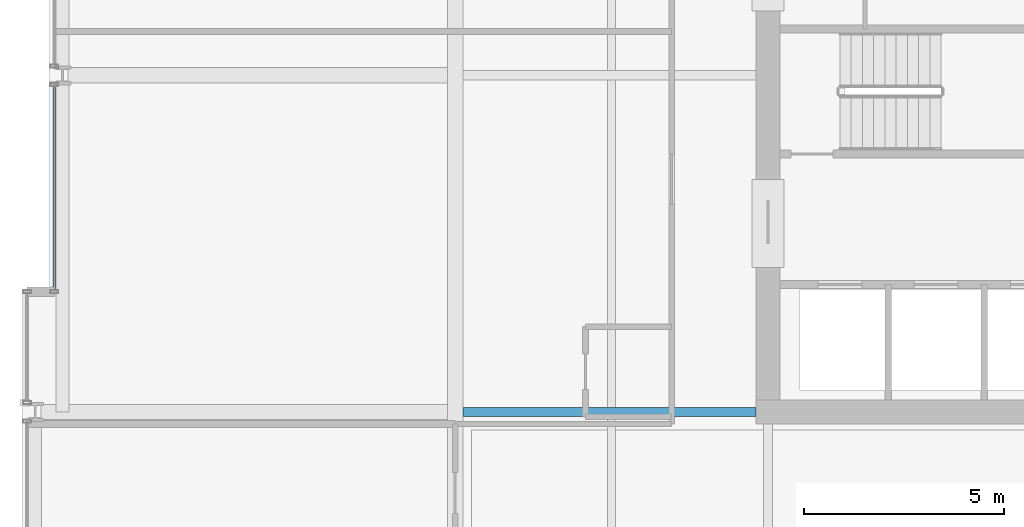
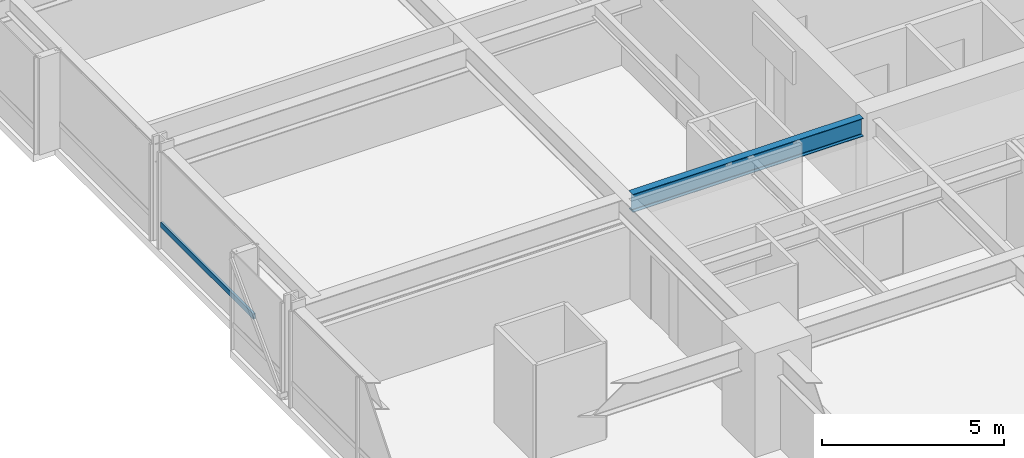
# One storey, part 8 of 38: 1 beam, 1 member, 1 element without a shape of its own.
"""IFC4 building model written with IfcOpenShell, lengths in metres."""

import ifcopenshell
import ifcopenshell.guid

model = None  # the IFC model being written
_history = None  # IfcOwnerHistory: only IFC2X3 demands one
_inside = {}  # id of a spatial element -> (the spatial element, [elements in it])
_under = {}  # id of a project, library or spatial element -> (it, [spatial elements below it])
_declared = {}  # id of a project -> (the project, [libraries it declares])
_typed = {}  # id of a type object -> (the type object, [elements of that type])
_made_of = {}  # id of a material, layer set ... -> (it, [elements and type objects made of it])


def new_model(schema):
    """Start an empty IFC model of exactly this schema.

    Asked for "IFC4X3", IfcOpenShell would pick the latest addendum, in which some entities
    have other attributes; the version numbers below select the first issue.
    IFC2X3 requires an IfcOwnerHistory on every rooted entity: one is made here for all.
    """
    global model, _history
    if schema == "IFC4X3":
        model = ifcopenshell.file(schema_version=(4, 3, 0, 0))
    else:
        model = ifcopenshell.file(schema=schema)
    _inside.clear()
    _under.clear()
    _declared.clear()
    _typed.clear()
    _made_of.clear()
    _history = None
    if model.schema == "IFC2X3":
        org = make("IfcOrganization", Name="unknown")
        user = make(
            "IfcPersonAndOrganization",
            ThePerson=make("IfcPerson", FamilyName="unknown"),
            TheOrganization=org,
        )
        app = make(
            "IfcApplication",
            ApplicationDeveloper=org,
            Version="unknown",
            ApplicationFullName="unknown",
            ApplicationIdentifier="unknown",
        )
        _history = make(
            "IfcOwnerHistory",
            OwningUser=user,
            OwningApplication=app,
            ChangeAction="ADDED",
            CreationDate=0,
        )
    return model


def make(cls, **values):
    """One entity of the class cls with the attributes given. An attribute that is None is left unset."""
    return model.create_entity(
        cls, **{name: value for name, value in values.items() if value is not None}
    )


def rooted(cls, **values):
    """An entity with a GlobalId (a new one), such as an element, a storey or a relation."""
    return make(cls, GlobalId=ifcopenshell.guid.new(), OwnerHistory=_history, **values)


def si_unit(unit_type, name, prefix=None):
    """IfcSIUnit, for example si_unit("LENGTHUNIT", "METRE", prefix="MILLI")."""
    return make("IfcSIUnit", UnitType=unit_type, Prefix=prefix, Name=name)


def assignment(units):
    """IfcUnitAssignment: the units of a project."""
    return None if units is None else make("IfcUnitAssignment", Units=units)


def point(xyz):
    """IfcCartesianPoint."""
    return None if xyz is None else make("IfcCartesianPoint", Coordinates=xyz)


def direction(xyz):
    """IfcDirection."""
    return None if xyz is None else make("IfcDirection", DirectionRatios=xyz)


def frame(location, z_axis=None, x_axis=None):
    """IfcAxis2Placement3D, a coordinate frame: its origin and axes. An axis left out is left unset."""
    return make(
        "IfcAxis2Placement3D",
        Location=point(location),
        Axis=direction(z_axis),
        RefDirection=direction(x_axis),
    )


def frame_2d(location, x_axis=None):
    """IfcAxis2Placement2D, a coordinate frame in the plane: its origin and x axis."""
    return make(
        "IfcAxis2Placement2D", Location=point(location), RefDirection=direction(x_axis)
    )


def origin():
    """The frame at (0, 0, 0) with its axes left unset."""
    return frame((0.0, 0.0, 0.0))


def origin_2d():
    """The frame at (0, 0) in the plane with its x axis left unset."""
    return frame_2d((0.0, 0.0))


def place(relative_to, where):
    """IfcLocalPlacement: puts the frame where relative to a parent placement (None: the world)."""
    return make(
        "IfcLocalPlacement", PlacementRelTo=relative_to, RelativePlacement=where
    )


def context(
    kind, dimensions, precision=None, world=None, true_north=None, identifier=None
):
    """IfcGeometricRepresentationContext, for example the 3D "Model" context."""
    return make(
        "IfcGeometricRepresentationContext",
        ContextIdentifier=identifier,
        ContextType=kind,
        CoordinateSpaceDimension=dimensions,
        Precision=precision,
        WorldCoordinateSystem=world,
        TrueNorth=true_north,
    )


def subcontext(parent, identifier, kind, view, scale=None):
    """IfcGeometricRepresentationSubContext, for example "Body" below "Model"."""
    return make(
        "IfcGeometricRepresentationSubContext",
        ContextIdentifier=identifier,
        ContextType=kind,
        ParentContext=parent,
        TargetScale=scale,
        TargetView=view,
    )


def project(units=None, contexts=None):
    """IfcProject with its units and contexts."""
    return rooted(
        "IfcProject",
        Name="project",
        RepresentationContexts=contexts,
        UnitsInContext=assignment(units),
    )


def spatial(cls, under=None, at=None, **own):
    """A site, building, storey or space (cls), placed at a placement, below another one or the project."""
    s = rooted(cls, ObjectPlacement=at, **own)
    if under is not None:
        _under.setdefault(under.id(), (under, []))[1].append(s)
    return s


def profile(cls, at=None, kind="AREA", **sizes):
    """A parametric profile (cls). Its sizes go by their IFC names, for example OverallWidth=200.0."""
    return make(cls, ProfileType=kind, Position=at, **sizes)


def hollow_rectangle(**sizes):
    """IfcRectangleHollowProfileDef."""
    return profile("IfcRectangleHollowProfileDef", **sizes)


def i_section(**sizes):
    """IfcIShapeProfileDef."""
    return profile("IfcIShapeProfileDef", **sizes)


def extrude(swept, where, along, depth):
    """IfcExtrudedAreaSolid: the profile swept, set in the frame where, extruded along a direction by depth."""
    return make(
        "IfcExtrudedAreaSolid",
        SweptArea=swept,
        Position=where,
        ExtrudedDirection=direction(along),
        Depth=depth,
    )


def shape(context_of_items, identifier, shape_type, items):
    """IfcShapeRepresentation: the items that make up one representation, for example the "Body"."""
    return make(
        "IfcShapeRepresentation",
        ContextOfItems=context_of_items,
        RepresentationIdentifier=identifier,
        RepresentationType=shape_type,
        Items=items,
    )


def material(Name=None, Category=None):
    """IfcMaterial."""
    return make("IfcMaterial", Name=Name, Category=Category)


def layer(
    of_material, thickness, ventilated=None, Name=None, Category=None, Priority=None
):
    """IfcMaterialLayer: one layer of a wall or slab, of a material (None: an air gap)."""
    return make(
        "IfcMaterialLayer",
        Material=of_material,
        LayerThickness=thickness,
        IsVentilated=ventilated,
        Name=Name,
        Category=Category,
        Priority=Priority,
    )


def layer_set(layers, Name=None):
    """IfcMaterialLayerSet."""
    return make("IfcMaterialLayerSet", MaterialLayers=layers, LayerSetName=Name)


def material_profile(
    of_material, cross_section, Name=None, Category=None, Priority=None
):
    """IfcMaterialProfile: a cross section and its material."""
    return make(
        "IfcMaterialProfile",
        Name=Name,
        Material=of_material,
        Profile=cross_section,
        Priority=Priority,
        Category=Category,
    )


def profile_set(profiles, Name=None, composite=None):
    """IfcMaterialProfileSet."""
    return make(
        "IfcMaterialProfileSet",
        Name=Name,
        MaterialProfiles=profiles,
        CompositeProfile=composite,
    )


def made_of(thing, what):
    """Note that an element or type object is made of a material, layer set ...; save() writes the relation."""
    if what is not None:
        _made_of.setdefault(what.id(), (what, []))[1].append(thing)
    return thing


def type_object(cls, material=None, **own):
    """A type object (cls), such as IfcWallType, which elements share."""
    return made_of(rooted(cls, **own), material)


def element(
    cls,
    number,
    at=None,
    inside=None,
    cuts=None,
    type_object=None,
    material=None,
    context=None,
    identifier="Body",
    shape_type=None,
    held_by="IfcProductDefinitionShape",
    body=None,
    shapes=None,
    **own,
):
    """One element of the class cls, such as IfcWall. Its Tag is "e" and its number.

    at: its placement. inside: the storey or other place that contains it. cuts: it is an
    opening in that element (IfcRelVoidsElement). A single representation is given by context,
    identifier, shape_type and body (its items); several are given by shapes. held_by: the class
    of the entity that holds the representations. save() writes the other relations.
    """
    e = rooted(cls, Tag="e%d" % number, ObjectPlacement=at, **own)
    if body is not None:
        shapes = [shape(context, identifier, shape_type, body)]
    if shapes is not None:
        e.Representation = make(held_by, Representations=shapes)
    if inside is not None:
        _inside.setdefault(inside.id(), (inside, []))[1].append(e)
    if cuts is not None:
        rooted(
            "IfcRelVoidsElement", RelatingBuildingElement=cuts, RelatedOpeningElement=e
        )
    if type_object is not None:
        _typed.setdefault(type_object.id(), (type_object, []))[1].append(e)
    return made_of(e, material)


def aggregate(whole, parts):
    """IfcRelAggregates: a whole, such as a stair, and the parts it consists of."""
    return rooted("IfcRelAggregates", RelatingObject=whole, RelatedObjects=parts)


def save(model, path):
    """Write the relations noted so far, then the file.

    IfcRelAggregates (storeys below a building ...), IfcRelContainedInSpatialStructure (elements
    in a storey), IfcRelDefinesByType, IfcRelAssociatesMaterial and IfcRelDeclares: one each for
    every whole, place, type object, material and project.
    """
    for whole, parts in _under.values():
        aggregate(whole, parts)
    for where, things in _inside.values():
        rooted(
            "IfcRelContainedInSpatialStructure",
            RelatedElements=things,
            RelatingStructure=where,
        )
    for kind, things in _typed.values():
        rooted("IfcRelDefinesByType", RelatedObjects=things, RelatingType=kind)
    for what, things in _made_of.values():
        rooted("IfcRelAssociatesMaterial", RelatedObjects=things, RelatingMaterial=what)
    for by, libraries in _declared.values():
        rooted("IfcRelDeclares", RelatingContext=by, RelatedDefinitions=libraries)
    model.write(path)


model = new_model("IFC4")

# Units and contexts
model_context = context("Model", 3, precision=1e-05, world=origin(), true_north=direction((0.0, 1.0)))
body_context = subcontext(model_context, "Body", "Model", "MODEL_VIEW")
ifc_project = project(units=[si_unit("LENGTHUNIT", "METRE"), si_unit("AREAUNIT", "SQUARE_METRE"), si_unit("VOLUMEUNIT", "CUBIC_METRE"), si_unit("PLANEANGLEUNIT", "RADIAN"), si_unit("MASSUNIT", "GRAM", prefix="KILO")], contexts=[model_context])

# Site, building, storey
site_placement = place(None, origin())
site = spatial("IfcSite", under=ifc_project, at=site_placement, CompositionType="ELEMENT")
building_placement = place(site_placement, origin())
building = spatial("IfcBuilding", under=site, at=building_placement, Name="Drelvath Grand Hotel", CompositionType="ELEMENT")
storey_placement = place(building_placement, frame((0.0, 0.0, 68.199951171875)))
storey = spatial("IfcBuildingStorey", under=building, at=storey_placement, Name="L16", CompositionType="ELEMENT", Elevation=68.199951171875)

# Curtain wall, member
ifc_material_1 = material(Name="Warm Bronze Anodised Aluminium Frame", Category="aluminium")
ifc_layer = layer(ifc_material_1, 0.199951171875)
ifc_layer_set = layer_set([ifc_layer], Name="Warm Bronze Anodised Aluminium Frame")
curtain_wall_type = type_object("IfcCurtainWallType", Name="Stick Curtain Wall CW-02 Warm Bronze Low-Rise", PredefinedType="NOTDEFINED", material=ifc_layer_set)
curtain_wall_placement = place(storey_placement, origin())
curtain_wall = element("IfcCurtainWall", 1, at=curtain_wall_placement, inside=storey, type_object=curtain_wall_type, Name="L16 CW-02 Curtain Wall CW02-L16-WM1", PredefinedType="NOTDEFINED")
ifc_material_profile_1 = material_profile(ifc_material_1, hollow_rectangle(XDim=0.074951171875, YDim=0.179931640625, WallThickness=0.0048828125, at=origin_2d()), Name="HSS180X75X5")
ifc_profile_set_1 = profile_set([ifc_material_profile_1], Name="Warm Bronze Anodised Aluminium Frame")
member_type = type_object("IfcMemberType", Name="Curtain Wall Horizontal Transom CW-02 HSS180X75X5", PredefinedType="USERDEFINED", material=ifc_profile_set_1)
member_placement = place(storey_placement, frame((-26.199951171875, 21.639892578125, 0.81005859375), z_axis=(0.0, 1.0, 0.0), x_axis=(-1.0, 0.0, 0.0)))
member = element("IfcMember", 2, at=member_placement, type_object=member_type, Name="CW02-L16-WM1 Sill Transom", ObjectType="TRANSOM", PredefinedType="USERDEFINED", context=body_context, shape_type="SweptSolid", body=[
    extrude(hollow_rectangle(XDim=0.074951171875, YDim=0.179931640625, WallThickness=0.0048828125, at=origin_2d()), origin(), (0.0, 0.0, 1.0), 5.091064453125),
])
aggregate(curtain_wall, [member])

# Beam
ifc_material_2 = material(Name="Steel ASTM A992 Gr 50", Category="steel")
ifc_material_profile_2 = material_profile(ifc_material_2, i_section(OverallWidth=0.228271484375, OverallDepth=0.607666015625, WebThickness=0.01123046875, FlangeThickness=0.017333984375, FilletRadius=0.02001953125, at=origin_2d()), Name="W24X76")
ifc_profile_set_2 = profile_set([ifc_material_profile_2], Name="Steel ASTM A992 Gr 50")
beam_type = type_object("IfcBeamType", Name="Primary Floor Girder W24X76", PredefinedType="BEAM", material=ifc_profile_set_2)
beam_placement = place(storey_placement, frame((-16.009765625, 18.60009765625, 2.936279296875), z_axis=(1.0, 0.0, 0.0), x_axis=(0.0, 1.0, 0.0)))
element("IfcBeam", 3, at=beam_placement, inside=storey, type_object=beam_type, Name="L16 West Core Tie D", PredefinedType="BEAM", context=body_context, shape_type="SweptSolid", body=[
    extrude(i_section(OverallWidth=0.228271484375, OverallDepth=0.607666015625, WebThickness=0.01123046875, FlangeThickness=0.017333984375, FilletRadius=0.02001953125, at=origin_2d()), origin(), (0.0, 0.0, 1.0), 7.309814453125),
])

save(model, "model.ifc")
